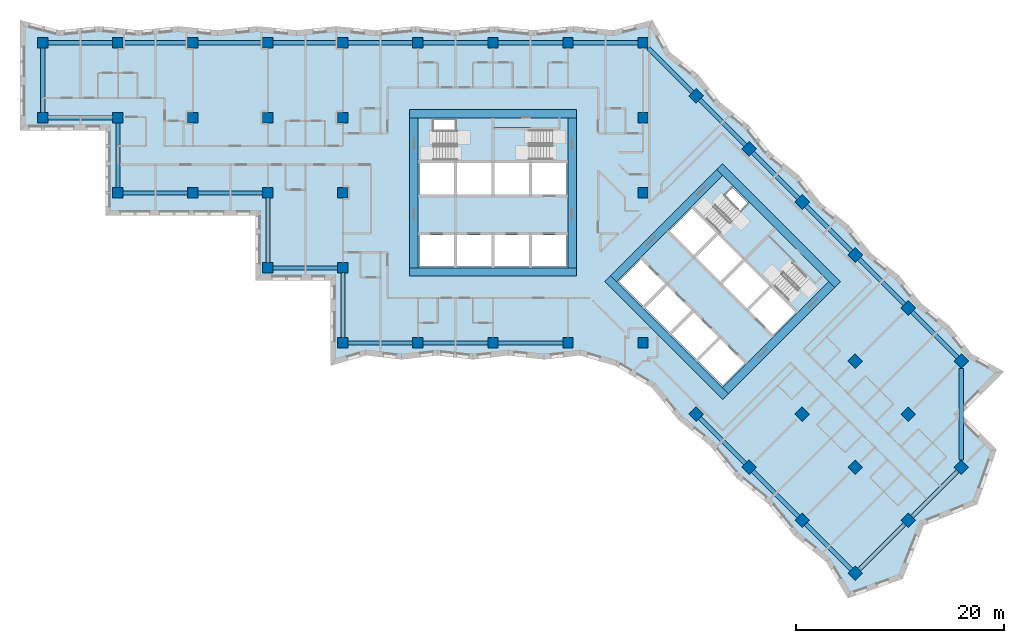
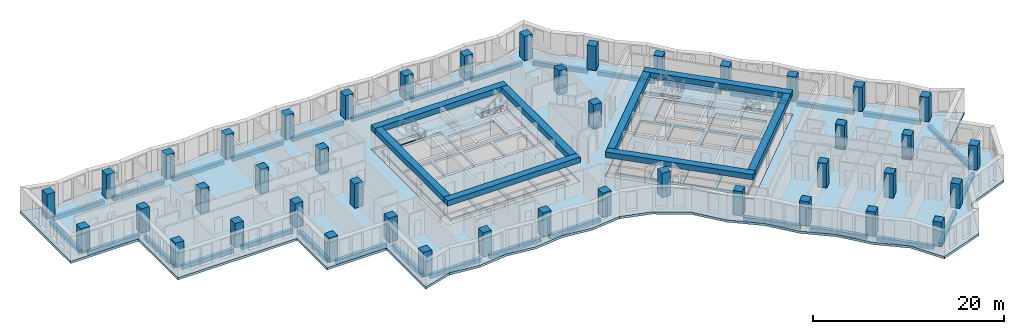
# One storey, part 1 of 13: 43 columns, 39 beams, 7 slabs, 22 openings, 4 elements without a shape of their own.
"""IFC4 building model written with IfcOpenShell, lengths in metres."""

from ifc_helpers import new_model, si_unit, direction, frame, origin, origin_2d, place, context, subcontext, project, spatial, polyline, rectangle, outline, extrude, material, layer, layer_set, material_profile, profile_set, type_object, element, aggregate, save


model = new_model("IFC4")

# Units and contexts
model_context = context("Model", 3, precision=1e-05, world=origin(), true_north=direction((0.0, 1.0)))
body_context = subcontext(model_context, "Body", "Model", "MODEL_VIEW")
ifc_project = project(units=[si_unit("LENGTHUNIT", "METRE"), si_unit("AREAUNIT", "SQUARE_METRE"), si_unit("VOLUMEUNIT", "CUBIC_METRE"), si_unit("PLANEANGLEUNIT", "RADIAN"), si_unit("MASSUNIT", "GRAM", prefix="KILO")], contexts=[model_context])

# Site, building, storey
site_placement = place(None, origin())
site = spatial("IfcSite", under=ifc_project, at=site_placement, CompositionType="ELEMENT")
building_placement = place(site_placement, origin())
building = spatial("IfcBuilding", under=site, at=building_placement, Name="Windrow Commons", CompositionType="ELEMENT")
storey_placement = place(building_placement, frame((0.0, 0.0, 91.4)))
storey = spatial("IfcBuildingStorey", under=building, at=storey_placement, Name="L24", CompositionType="ELEMENT", Elevation=91.4)

# Columns
ifc_material_1 = material(Name="Concrete C60/75", Category="concrete")
ifc_material_profile_1 = material_profile(ifc_material_1, rectangle(XDim=1.0, YDim=1.0, at=origin_2d()))
ifc_profile_set_1 = profile_set([ifc_material_profile_1], Name="Concrete C60/75")
column_type = type_object("IfcColumnType", Name="RC COLUMN 1000x1000 C60/75", PredefinedType="COLUMN", material=ifc_profile_set_1)
for number, where, z_axis, x_axis, name in (
    (1, (21.6, 64.8, 0.0), (0.0, 0.0, 1.0), (1.0, 0.0, 0.0), "C-Z2-04I"),
    (2, (21.6, 72.0, 0.0), (0.0, 0.0, 1.0), (1.0, 0.0, 0.0), "C-Z2-04J"),
    (3, (28.8, 57.6, 0.0), (0.0, 0.0, 1.0), (1.0, 0.0, 0.0), "C-Z2-05H"),
    (4, (28.8, 64.8, 0.0), (0.0, 0.0, 1.0), (1.0, 0.0, 0.0), "C-Z2-05I"),
    (5, (28.8, 72.0, 0.0), (0.0, 0.0, 1.0), (1.0, 0.0, 0.0), "C-Z2-05J"),
    (6, (36.0, 57.6, 0.0), (0.0, 0.0, 1.0), (1.0, 0.0, 0.0), "C-Z2-06H"),
    (7, (36.0, 64.8, 0.0), (0.0, 0.0, 1.0), (1.0, 0.0, 0.0), "C-Z2-06I"),
    (8, (36.0, 72.0, 0.0), (0.0, 0.0, 1.0), (1.0, 0.0, 0.0), "C-Z2-06J"),
    (9, (43.2, 50.4, 0.0), (0.0, 0.0, 1.0), (1.0, 0.0, 0.0), "C-Z2-07G"),
    (10, (43.2, 57.6, 0.0), (0.0, 0.0, 1.0), (1.0, 0.0, 0.0), "C-Z2-07H"),
    (11, (43.2, 64.8, 0.0), (0.0, 0.0, 1.0), (1.0, 0.0, 0.0), "C-Z2-07I"),
    (12, (43.2, 72.0, 0.0), (0.0, 0.0, 1.0), (1.0, 0.0, 0.0), "C-Z2-07J"),
    (13, (50.4, 43.2, 0.0), (0.0, 0.0, 1.0), (1.0, 0.0, 0.0), "C-Z2-08F"),
    (14, (50.4, 50.4, 0.0), (0.0, 0.0, 1.0), (1.0, 0.0, 0.0), "C-Z2-08G"),
    (15, (50.4, 57.6, 0.0), (0.0, 0.0, 1.0), (1.0, 0.0, 0.0), "C-Z2-08H"),
    (16, (50.4, 64.8, 0.0), (0.0, 0.0, 1.0), (1.0, 0.0, 0.0), "C-Z2-08I"),
    (17, (50.4, 72.0, 0.0), (0.0, 0.0, 1.0), (1.0, 0.0, 0.0), "C-Z2-08J"),
    (18, (57.6, 43.2, 0.0), (0.0, 0.0, 1.0), (1.0, 0.0, 0.0), "C-Z2-09F"),
    (19, (57.6, 72.0, 0.0), (0.0, 0.0, 1.0), (1.0, 0.0, 0.0), "C-Z2-09J"),
    (20, (64.8, 43.2, 0.0), (0.0, 0.0, 1.0), (1.0, 0.0, 0.0), "C-Z2-10F"),
    (21, (64.8, 72.0, 0.0), (0.0, 0.0, 1.0), (1.0, 0.0, 0.0), "C-Z2-10J"),
    (22, (72.0, 43.2, 0.0), (0.0, 0.0, 1.0), (1.0, 0.0, 0.0), "C-Z2-11F"),
    (23, (72.0, 72.0, 0.0), (0.0, 0.0, 1.0), (1.0, 0.0, 0.0), "C-Z2-11J"),
    (24, (79.2, 43.2, 0.0), (0.0, 0.0, 1.0), (1.0, 0.0, 0.0), "C-Z2-12F"),
    (25, (79.2, 57.6, 0.0), (0.0, 0.0, 1.0), (1.0, 0.0, 0.0), "C-Z2-12H"),
    (26, (79.2, 64.8, 0.0), (0.0, 0.0, 1.0), (1.0, 0.0, 0.0), "C-Z2-12I"),
    (27, (79.2, 72.0, 0.0), (0.0, 0.0, 1.0), (1.0, 0.0, 0.0), "C-Z2-12J"),
    (28, (84.2912, 66.9088, 0.0), (0.0, 0.0, 1.0), (0.7071067812, -0.7071067812, 0.0), "C-Z2-P2Q"),
    (29, (89.3823, 61.8177, 0.0), (0.0, 0.0, 1.0), (0.7071067812, -0.7071067812, 0.0), "C-Z2-P3Q"),
    (30, (94.4735, 56.7265, 0.0), (0.0, 0.0, 1.0), (0.7071067812, -0.7071067812, 0.0), "C-Z2-P4Q"),
    (31, (99.5647, 51.6353, 0.0), (0.0, 0.0, 1.0), (0.7071067812, -0.7071067812, 0.0), "C-Z2-P5Q"),
    (32, (84.2912, 36.3618, 0.0), (0.0, 0.0, 1.0), (0.7071067812, -0.7071067812, 0.0), "C-Z2-P5T"),
    (33, (104.6558, 46.5442, 0.0), (0.0, 0.0, 1.0), (0.7071067812, -0.7071067812, 0.0), "C-Z2-P6Q"),
    (34, (99.5647, 41.453, 0.0), (0.0, 0.0, 1.0), (0.7071067812, -0.7071067812, 0.0), "C-Z2-P6R"),
    (35, (94.4735, 36.3618, 0.0), (0.0, 0.0, 1.0), (0.7071067812, -0.7071067812, 0.0), "C-Z2-P6S"),
    (36, (89.3823, 31.2706, 0.0), (0.0, 0.0, 1.0), (0.7071067812, -0.7071067812, 0.0), "C-Z2-P6T"),
    (37, (109.747, 41.453, 0.0), (0.0, 0.0, 1.0), (0.7071067812, -0.7071067812, 0.0), "C-Z2-P7Q"),
    (38, (104.6558, 36.3618, 0.0), (0.0, 0.0, 1.0), (0.7071067812, -0.7071067812, 0.0), "C-Z2-P7R"),
    (39, (99.5647, 31.2706, 0.0), (0.0, 0.0, 1.0), (0.7071067812, -0.7071067812, 0.0), "C-Z2-P7S"),
    (40, (94.4735, 26.1795, 0.0), (0.0, 0.0, 1.0), (0.7071067812, -0.7071067812, 0.0), "C-Z2-P7T"),
    (41, (109.747, 31.2706, 0.0), (0.0, 0.0, 1.0), (0.7071067812, -0.7071067812, 0.0), "C-Z2-P8R"),
    (42, (104.6558, 26.1795, 0.0), (0.0, 0.0, 1.0), (0.7071067812, -0.7071067812, 0.0), "C-Z2-P8S"),
    (43, (99.5647, 21.0883, 0.0), (0.0, 0.0, 1.0), (0.7071067812, -0.7071067812, 0.0), "C-Z2-P8T"),
):
    element("IfcColumn", number, at=place(storey_placement, frame(where, z_axis=z_axis, x_axis=x_axis)), inside=storey, type_object=column_type, Name=name, PredefinedType="COLUMN", context=body_context, shape_type="SweptSolid", body=[
        extrude(rectangle(XDim=1.0, YDim=1.0, at=origin_2d()), origin(), (0.0, 0.0, 1.0), 3.1),
    ])

# Beams
ifc_material_2 = material(Name="Concrete C50/60", Category="concrete")
ifc_material_profile_2 = material_profile(ifc_material_2, rectangle(XDim=0.8, YDim=0.7, at=origin_2d()))
ifc_profile_set_2 = profile_set([ifc_material_profile_2], Name="Concrete C50/60")
beam_type_1 = type_object("IfcBeamType", Name="RC COUPLING BEAM 800x700 C50/60", PredefinedType="LINTEL", material=ifc_profile_set_2)
for number, where, z_axis, x_axis, name in (
    (44, (56.8, 50.0, 2.75), (1.0, 0.0, 0.0), (0.0, 1.0, 0.0), "Core A coupling beam outer-S"),
    (45, (56.8, 65.2, 2.75), (1.0, 0.0, 0.0), (0.0, 1.0, 0.0), "Core A coupling beam outer-N"),
):
    element("IfcBeam", number, at=place(storey_placement, frame(where, z_axis=z_axis, x_axis=x_axis)), inside=storey, type_object=beam_type_1, Name=name, PredefinedType="LINTEL", context=body_context, shape_type="SweptSolid", body=[
        extrude(rectangle(XDim=0.8, YDim=0.7, at=origin_2d()), origin(), (0.0, 0.0, 1.0), 16.0),
    ])
for number, where, z_axis, x_axis, name in (
    (46, (57.2, 50.4, 2.75), (0.0, 1.0, 0.0), (-1.0, 0.0, 0.0), "Core A coupling beam outer-W"),
    (47, (72.4, 50.4, 2.75), (0.0, 1.0, 0.0), (-1.0, 0.0, 0.0), "Core A coupling beam outer-E"),
):
    element("IfcBeam", number, at=place(storey_placement, frame(where, z_axis=z_axis, x_axis=x_axis)), inside=storey, type_object=beam_type_1, Name=name, PredefinedType="LINTEL", context=body_context, shape_type="SweptSolid", body=[
        extrude(rectangle(XDim=0.8, YDim=0.7, at=origin_2d()), origin(), (0.0, 0.0, 1.0), 14.4),
    ])
for number, where, z_axis, x_axis, name in (
    (48, (75.8059, 49.3726, 2.75), (0.7071067812, -0.7071067812, 0.0), (0.7071067812, 0.7071067812, 0.0), "Core B coupling beam outer-S"),
    (49, (86.5539, 60.1206, 2.75), (0.7071067812, -0.7071067812, 0.0), (0.7071067812, 0.7071067812, 0.0), "Core B coupling beam outer-N"),
):
    element("IfcBeam", number, at=place(storey_placement, frame(where, z_axis=z_axis, x_axis=x_axis)), inside=storey, type_object=beam_type_1, Name=name, PredefinedType="LINTEL", context=body_context, shape_type="SweptSolid", body=[
        extrude(rectangle(XDim=0.8, YDim=0.7, at=origin_2d()), origin(), (0.0, 0.0, 1.0), 16.0),
    ])
for number, where, z_axis, x_axis, name in (
    (50, (76.3716, 49.3726, 2.75), (0.7071067812, 0.7071067812, 0.0), (-0.7071067812, 0.7071067812, 0.0), "Core B coupling beam outer-W"),
    (51, (87.1196, 38.6246, 2.75), (0.7071067812, 0.7071067812, 0.0), (-0.7071067812, 0.7071067812, 0.0), "Core B coupling beam outer-E"),
):
    element("IfcBeam", number, at=place(storey_placement, frame(where, z_axis=z_axis, x_axis=x_axis)), inside=storey, type_object=beam_type_1, Name=name, PredefinedType="LINTEL", context=body_context, shape_type="SweptSolid", body=[
        extrude(rectangle(XDim=0.8, YDim=0.7, at=origin_2d()), origin(), (0.0, 0.0, 1.0), 14.3999),
    ])
ifc_material_3 = material(Name="Concrete C50/60", Category="concrete")
ifc_material_profile_3 = material_profile(ifc_material_3, rectangle(XDim=0.4, YDim=0.5, at=origin_2d()))
ifc_profile_set_3 = profile_set([ifc_material_profile_3], Name="Concrete C50/60")
beam_type_2 = type_object("IfcBeamType", Name="RC EDGE BEAM 400x500 C50/60", PredefinedType="SPANDREL", material=ifc_profile_set_3)
for number, where, z_axis, x_axis, name in (
    (52, (35.5, 57.6, -0.55), (-1.0, 0.0, 0.0), (0.0, -1.0, 0.0), "Edge beam L24 001"),
    (53, (28.8, 58.1, -0.55), (0.0, 1.0, 0.0), (-1.0, 0.0, 0.0), "Edge beam L24 002"),
    (54, (28.3, 64.8, -0.55), (-1.0, 0.0, 0.0), (0.0, -1.0, 0.0), "Edge beam L24 003"),
    (55, (21.6, 65.3, -0.55), (0.0, 1.0, 0.0), (-1.0, 0.0, 0.0), "Edge beam L24 004"),
    (56, (22.1, 72.0, -0.55), (1.0, 0.0, 0.0), (0.0, 1.0, 0.0), "Edge beam L24 005"),
    (57, (29.3, 72.0, -0.55), (1.0, 0.0, 0.0), (0.0, 1.0, 0.0), "Edge beam L24 006"),
    (58, (36.5, 72.0, -0.55), (1.0, 0.0, 0.0), (0.0, 1.0, 0.0), "Edge beam L24 007"),
    (59, (43.7, 72.0, -0.55), (1.0, 0.0, 0.0), (0.0, 1.0, 0.0), "Edge beam L24 008"),
    (60, (50.9, 72.0, -0.55), (1.0, 0.0, 0.0), (0.0, 1.0, 0.0), "Edge beam L24 009"),
    (61, (58.1, 72.0, -0.55), (1.0, 0.0, 0.0), (0.0, 1.0, 0.0), "Edge beam L24 010"),
    (62, (65.3, 72.0, -0.55), (1.0, 0.0, 0.0), (0.0, 1.0, 0.0), "Edge beam L24 011"),
    (63, (72.5, 72.0, -0.55), (1.0, 0.0, 0.0), (0.0, 1.0, 0.0), "Edge beam L24 012"),
):
    element("IfcBeam", number, at=place(storey_placement, frame(where, z_axis=z_axis, x_axis=x_axis)), inside=storey, type_object=beam_type_2, Name=name, PredefinedType="SPANDREL", context=body_context, shape_type="SweptSolid", body=[
        extrude(rectangle(XDim=0.4, YDim=0.5, at=origin_2d()), origin(), (0.0, 0.0, 1.0), 6.2),
    ])
beam_1_placement = place(storey_placement, frame((79.7, 71.5, -0.55), z_axis=(0.7071067812, -0.7071067812, 0.0), x_axis=(0.7071067812, 0.7071067812, 0.0)))
element("IfcBeam", 64, at=beam_1_placement, inside=storey, type_object=beam_type_2, Name="Edge beam L24 013", PredefinedType="SPANDREL", context=body_context, shape_type="SweptSolid", body=[
    extrude(rectangle(XDim=0.4, YDim=0.5, at=origin_2d()), origin(), (0.0, 0.0, 1.0), 5.9929),
])
beam_2_placement = place(storey_placement, frame((84.6448, 66.5552, -0.55), z_axis=(0.7071067812, -0.7071067812, 0.0), x_axis=(0.7071067812, 0.7071067812, 0.0)))
element("IfcBeam", 65, at=beam_2_placement, inside=storey, type_object=beam_type_2, Name="Edge beam L24 014", PredefinedType="SPANDREL", context=body_context, shape_type="SweptSolid", body=[
    extrude(rectangle(XDim=0.4, YDim=0.5, at=origin_2d()), origin(), (0.0, 0.0, 1.0), 6.1998),
])
for number, where, z_axis, x_axis, name in (
    (66, (89.7359, 61.4641, -0.55), (0.7071067812, -0.7071067812, 0.0), (0.7071067812, 0.7071067812, 0.0), "Edge beam L24 015"),
    (67, (94.8271, 56.3729, -0.55), (0.7071067812, -0.7071067812, 0.0), (0.7071067812, 0.7071067812, 0.0), "Edge beam L24 016"),
):
    element("IfcBeam", number, at=place(storey_placement, frame(where, z_axis=z_axis, x_axis=x_axis)), inside=storey, type_object=beam_type_2, Name=name, PredefinedType="SPANDREL", context=body_context, shape_type="SweptSolid", body=[
        extrude(rectangle(XDim=0.4, YDim=0.5, at=origin_2d()), origin(), (0.0, 0.0, 1.0), 6.1999),
    ])
beam_3_placement = place(storey_placement, frame((99.9183, 51.2817, -0.55), z_axis=(0.7071067812, -0.7071067812, 0.0), x_axis=(0.7071067812, 0.7071067812, 0.0)))
element("IfcBeam", 68, at=beam_3_placement, inside=storey, type_object=beam_type_2, Name="Edge beam L24 017", PredefinedType="SPANDREL", context=body_context, shape_type="SweptSolid", body=[
    extrude(rectangle(XDim=0.4, YDim=0.5, at=origin_2d()), origin(), (0.0, 0.0, 1.0), 6.1998),
])
beam_4_placement = place(storey_placement, frame((105.0094, 46.1906, -0.55), z_axis=(0.7071067812, -0.7071067812, 0.0), x_axis=(0.7071067812, 0.7071067812, 0.0)))
element("IfcBeam", 69, at=beam_4_placement, inside=storey, type_object=beam_type_2, Name="Edge beam L24 018", PredefinedType="SPANDREL", context=body_context, shape_type="SweptSolid", body=[
    extrude(rectangle(XDim=0.4, YDim=0.5, at=origin_2d()), origin(), (0.0, 0.0, 1.0), 6.1999),
])
beam_5_placement = place(storey_placement, frame((109.747, 40.7459, -0.55), z_axis=(0.0, -1.0, 0.0), x_axis=(1.0, 0.0, 0.0)))
element("IfcBeam", 70, at=beam_5_placement, inside=storey, type_object=beam_type_2, Name="Edge beam L24 019", PredefinedType="SPANDREL", context=body_context, shape_type="SweptSolid", body=[
    extrude(rectangle(XDim=0.4, YDim=0.5, at=origin_2d()), origin(), (0.0, 0.0, 1.0), 8.7682),
])
for number, where, z_axis, x_axis, name in (
    (71, (109.3934, 30.917, -0.55), (-0.7071148459, -0.7070987164, 0.0), (0.7070987164, -0.7071148459, 0.0), "Edge beam L24 020"),
    (72, (104.3022, 25.8259, -0.55), (-0.7070987164, -0.7071148459, 0.0), (0.7071148459, -0.7070987164, 0.0), "Edge beam L24 021"),
):
    element("IfcBeam", number, at=place(storey_placement, frame(where, z_axis=z_axis, x_axis=x_axis)), inside=storey, type_object=beam_type_2, Name=name, PredefinedType="SPANDREL", context=body_context, shape_type="SweptSolid", body=[
        extrude(rectangle(XDim=0.4, YDim=0.5, at=origin_2d()), origin(), (0.0, 0.0, 1.0), 6.1998),
    ])
beam_6_placement = place(storey_placement, frame((99.2111, 21.4419, -0.55), z_axis=(-0.7071067812, 0.7071067812, 0.0), x_axis=(-0.7071067812, -0.7071067812, 0.0)))
element("IfcBeam", 73, at=beam_6_placement, inside=storey, type_object=beam_type_2, Name="Edge beam L24 022", PredefinedType="SPANDREL", context=body_context, shape_type="SweptSolid", body=[
    extrude(rectangle(XDim=0.4, YDim=0.5, at=origin_2d()), origin(), (0.0, 0.0, 1.0), 6.1999),
])
for number, where, z_axis, x_axis, name in (
    (74, (94.1199, 26.5331, -0.55), (-0.7071148459, 0.7070987164, 0.0), (-0.7070987164, -0.7071148459, 0.0), "Edge beam L24 023"),
    (75, (89.0287, 31.6242, -0.55), (-0.7070987164, 0.7071148459, 0.0), (-0.7071148459, -0.7070987164, 0.0), "Edge beam L24 024"),
):
    element("IfcBeam", number, at=place(storey_placement, frame(where, z_axis=z_axis, x_axis=x_axis)), inside=storey, type_object=beam_type_2, Name=name, PredefinedType="SPANDREL", context=body_context, shape_type="SweptSolid", body=[
        extrude(rectangle(XDim=0.4, YDim=0.5, at=origin_2d()), origin(), (0.0, 0.0, 1.0), 6.1998),
    ])
for number, where, z_axis, x_axis, name in (
    (76, (71.5, 43.2, -0.55), (-1.0, 0.0, 0.0), (0.0, -1.0, 0.0), "Edge beam L24 025"),
    (77, (64.3, 43.2, -0.55), (-1.0, 0.0, 0.0), (0.0, -1.0, 0.0), "Edge beam L24 026"),
    (78, (57.1, 43.2, -0.55), (-1.0, 0.0, 0.0), (0.0, -1.0, 0.0), "Edge beam L24 027"),
    (79, (50.4, 43.7, -0.55), (0.0, 1.0, 0.0), (-1.0, 0.0, 0.0), "Edge beam L24 028"),
    (80, (49.9, 50.4, -0.55), (-1.0, 0.0, 0.0), (0.0, -1.0, 0.0), "Edge beam L24 029"),
    (81, (43.2, 50.9, -0.55), (0.0, 1.0, 0.0), (-1.0, 0.0, 0.0), "Edge beam L24 030"),
    (82, (42.7, 57.6, -0.55), (-1.0, 0.0, 0.0), (0.0, -1.0, 0.0), "Edge beam L24 031"),
):
    element("IfcBeam", number, at=place(storey_placement, frame(where, z_axis=z_axis, x_axis=x_axis)), inside=storey, type_object=beam_type_2, Name=name, PredefinedType="SPANDREL", context=body_context, shape_type="SweptSolid", body=[
        extrude(rectangle(XDim=0.4, YDim=0.5, at=origin_2d()), origin(), (0.0, 0.0, 1.0), 6.2),
    ])

# Slab, openings
ifc_material_4 = material(Name="Concrete C50/60", Category="concrete")
ifc_layer_1 = layer(ifc_material_4, 0.3)
ifc_layer_set_1 = layer_set([ifc_layer_1], Name="CORE FLOOR SLAB 300 C50/60")
slab_type_1 = type_object("IfcSlabType", Name="CORE FLOOR SLAB 300 C50/60", PredefinedType="FLOOR", material=ifc_layer_set_1)
placement_1 = place(storey_placement, frame((0.0, 0.0, -0.3)))
slab_1 = element("IfcSlab", 83, at=placement_1, inside=storey, type_object=slab_type_1, Name="S-L24-core-A", PredefinedType="FLOOR", context=body_context, shape_type="SweptSolid", body=[
    extrude(outline(polyline([(57.6, 50.4), (72.0, 50.4), (72.0, 64.8), (57.6, 64.8), (57.6, 50.4)]), holes=[polyline([(57.75, 50.55), (61.05, 50.55), (61.05, 53.55), (57.75, 53.55), (57.75, 50.55)]), polyline([(61.35, 50.55), (64.65, 50.55), (64.65, 53.55), (61.35, 53.55), (61.35, 50.55)]), polyline([(64.95, 50.55), (68.25, 50.55), (68.25, 53.55), (64.95, 53.55), (64.95, 50.55)]), polyline([(68.55, 50.55), (71.85, 50.55), (71.85, 53.55), (68.55, 53.55), (68.55, 50.55)]), polyline([(57.75, 57.45), (61.05, 57.45), (61.05, 60.45), (57.75, 60.45), (57.75, 57.45)]), polyline([(61.35, 57.45), (64.65, 57.45), (64.65, 60.45), (61.35, 60.45), (61.35, 57.45)]), polyline([(64.95, 57.45), (68.25, 57.45), (68.25, 60.45), (64.95, 60.45), (64.95, 57.45)]), polyline([(68.55, 57.45), (71.85, 57.45), (71.85, 60.45), (68.55, 60.45), (68.55, 57.45)]), polyline([(59.1, 60.75), (64.65, 60.75), (64.65, 64.65), (59.1, 64.65), (59.1, 60.75)]), polyline([(64.95, 60.75), (70.5, 60.75), (70.5, 63.705), (64.95, 63.705), (64.95, 60.75)])]), origin(), (0.0, 0.0, 1.0), 0.3),
])
opening_1_placement = place(placement_1, origin())
element("IfcOpeningElement", 84, at=opening_1_placement, cuts=slab_1, Name="Slab opening S-L24-core-A 1", PredefinedType="OPENING", context=body_context, shape_type="SweptSolid", body=[
    extrude(outline(polyline([(57.755, 50.555), (57.755, 53.545), (61.045, 53.545), (61.045, 50.555), (57.755, 50.555)])), origin(), (0.0, 0.0, 1.0), 0.3),
])
opening_2_placement = place(placement_1, origin())
element("IfcOpeningElement", 85, at=opening_2_placement, cuts=slab_1, Name="Slab opening S-L24-core-A 2", PredefinedType="OPENING", context=body_context, shape_type="SweptSolid", body=[
    extrude(outline(polyline([(61.355, 50.555), (61.355, 53.545), (64.645, 53.545), (64.645, 50.555), (61.355, 50.555)])), origin(), (0.0, 0.0, 1.0), 0.3),
])
opening_3_placement = place(placement_1, origin())
element("IfcOpeningElement", 86, at=opening_3_placement, cuts=slab_1, Name="Slab opening S-L24-core-A 3", PredefinedType="OPENING", context=body_context, shape_type="SweptSolid", body=[
    extrude(outline(polyline([(64.955, 50.555), (64.955, 53.545), (68.245, 53.545), (68.245, 50.555), (64.955, 50.555)])), origin(), (0.0, 0.0, 1.0), 0.3),
])
opening_4_placement = place(placement_1, origin())
element("IfcOpeningElement", 87, at=opening_4_placement, cuts=slab_1, Name="Slab opening S-L24-core-A 4", PredefinedType="OPENING", context=body_context, shape_type="SweptSolid", body=[
    extrude(outline(polyline([(68.555, 50.555), (68.555, 53.545), (71.845, 53.545), (71.845, 50.555), (68.555, 50.555)])), origin(), (0.0, 0.0, 1.0), 0.3),
])
opening_5_placement = place(placement_1, origin())
element("IfcOpeningElement", 88, at=opening_5_placement, cuts=slab_1, Name="Slab opening S-L24-core-A 5", PredefinedType="OPENING", context=body_context, shape_type="SweptSolid", body=[
    extrude(outline(polyline([(57.755, 57.455), (57.755, 60.445), (61.045, 60.445), (61.045, 57.455), (57.755, 57.455)])), origin(), (0.0, 0.0, 1.0), 0.3),
])
opening_6_placement = place(placement_1, origin())
element("IfcOpeningElement", 89, at=opening_6_placement, cuts=slab_1, Name="Slab opening S-L24-core-A 6", PredefinedType="OPENING", context=body_context, shape_type="SweptSolid", body=[
    extrude(outline(polyline([(61.355, 57.455), (61.355, 60.445), (64.645, 60.445), (64.645, 57.455), (61.355, 57.455)])), origin(), (0.0, 0.0, 1.0), 0.3),
])
opening_7_placement = place(placement_1, origin())
element("IfcOpeningElement", 90, at=opening_7_placement, cuts=slab_1, Name="Slab opening S-L24-core-A 7", PredefinedType="OPENING", context=body_context, shape_type="SweptSolid", body=[
    extrude(outline(polyline([(64.955, 57.455), (64.955, 60.445), (68.245, 60.445), (68.245, 57.455), (64.955, 57.455)])), origin(), (0.0, 0.0, 1.0), 0.3),
])
opening_8_placement = place(placement_1, origin())
element("IfcOpeningElement", 91, at=opening_8_placement, cuts=slab_1, Name="Slab opening S-L24-core-A 8", PredefinedType="OPENING", context=body_context, shape_type="SweptSolid", body=[
    extrude(outline(polyline([(68.555, 57.455), (68.555, 60.445), (71.845, 60.445), (71.845, 57.455), (68.555, 57.455)])), origin(), (0.0, 0.0, 1.0), 0.3),
])
opening_9_placement = place(placement_1, origin())
element("IfcOpeningElement", 92, at=opening_9_placement, cuts=slab_1, Name="Slab opening S-L24-core-A 9", PredefinedType="OPENING", context=body_context, shape_type="SweptSolid", body=[
    extrude(outline(polyline([(59.105, 60.755), (59.105, 64.645), (64.645, 64.645), (64.645, 60.755), (59.105, 60.755)])), origin(), (0.0, 0.0, 1.0), 0.3),
])
opening_10_placement = place(placement_1, origin())
element("IfcOpeningElement", 93, at=opening_10_placement, cuts=slab_1, Name="Slab opening S-L24-core-A 10", PredefinedType="OPENING", context=body_context, shape_type="SweptSolid", body=[
    extrude(outline(polyline([(64.955, 60.755), (64.955, 63.7), (70.495, 63.7), (70.495, 60.755), (64.955, 60.755)])), origin(), (0.0, 0.0, 1.0), 0.3),
])

slab_2 = element("IfcSlab", 94, at=placement_1, inside=storey, type_object=slab_type_1, Name="S-L24-core-B", PredefinedType="FLOOR", context=body_context, shape_type="SweptSolid", body=[
    extrude(outline(polyline([(76.6544, 49.0897), (86.8368, 38.9074), (97.0191, 49.0897), (86.8368, 59.2721), (76.6544, 49.0897)]), holes=[polyline([(76.8665, 49.0897), (79.2, 46.7563), (81.3213, 48.8776), (78.9879, 51.2111), (76.8665, 49.0897)]), polyline([(79.4121, 46.5442), (81.7456, 44.2107), (83.8669, 46.332), (81.5335, 48.6655), (79.4121, 46.5442)]), polyline([(81.9577, 43.9986), (84.2912, 41.6651), (86.4125, 43.7864), (84.079, 46.1199), (81.9577, 43.9986)]), polyline([(84.5033, 41.453), (86.8368, 39.1195), (88.9581, 41.2409), (86.6246, 43.5743), (84.5033, 41.453)]), polyline([(81.7456, 53.9688), (84.079, 51.6353), (86.2004, 53.7566), (83.8669, 56.0901), (81.7456, 53.9688)]), polyline([(84.2912, 51.4232), (86.6246, 49.0897), (88.7459, 51.2111), (86.4125, 53.5445), (84.2912, 51.4232)]), polyline([(86.8368, 48.8776), (89.1702, 46.5442), (91.2915, 48.6655), (88.9581, 50.9989), (86.8368, 48.8776)]), polyline([(89.3823, 46.332), (91.7158, 43.9986), (93.8371, 46.1199), (91.5037, 48.4533), (89.3823, 46.332)]), polyline([(85.0336, 55.3476), (88.9581, 51.4232), (91.7158, 54.1809), (87.7913, 58.1054), (85.0336, 55.3476)]), polyline([(89.1702, 51.2111), (93.0946, 47.2866), (95.1841, 49.3761), (91.2597, 53.3006), (89.1702, 51.2111)])]), origin(), (0.0, 0.0, 1.0), 0.3),
])
opening_11_placement = place(placement_1, origin())
element("IfcOpeningElement", 95, at=opening_11_placement, cuts=slab_2, Name="Slab opening S-L24-core-B 1", PredefinedType="OPENING", context=body_context, shape_type="SweptSolid", body=[
    extrude(outline(polyline([(76.8736, 49.0897), (78.9879, 51.204), (81.3142, 48.8776), (79.2, 46.7634), (76.8736, 49.0897)])), origin(), (0.0, 0.0, 1.0), 0.3),
])
opening_12_placement = place(placement_1, origin())
element("IfcOpeningElement", 96, at=opening_12_placement, cuts=slab_2, Name="Slab opening S-L24-core-B 2", PredefinedType="OPENING", context=body_context, shape_type="SweptSolid", body=[
    extrude(outline(polyline([(79.4192, 46.5442), (81.5335, 48.6584), (83.8598, 46.332), (81.7456, 44.2178), (79.4192, 46.5442)])), origin(), (0.0, 0.0, 1.0), 0.3),
])
opening_13_placement = place(placement_1, origin())
element("IfcOpeningElement", 97, at=opening_13_placement, cuts=slab_2, Name="Slab opening S-L24-core-B 3", PredefinedType="OPENING", context=body_context, shape_type="SweptSolid", body=[
    extrude(outline(polyline([(81.9648, 43.9986), (84.079, 46.1128), (86.4054, 43.7864), (84.2912, 41.6722), (81.9648, 43.9986)])), origin(), (0.0, 0.0, 1.0), 0.3),
])
opening_14_placement = place(placement_1, origin())
element("IfcOpeningElement", 98, at=opening_14_placement, cuts=slab_2, Name="Slab opening S-L24-core-B 4", PredefinedType="OPENING", context=body_context, shape_type="SweptSolid", body=[
    extrude(outline(polyline([(84.5104, 41.453), (86.6246, 43.5672), (88.951, 41.2409), (86.8368, 39.1266), (84.5104, 41.453)])), origin(), (0.0, 0.0, 1.0), 0.3),
])
opening_15_placement = place(placement_1, origin())
element("IfcOpeningElement", 99, at=opening_15_placement, cuts=slab_2, Name="Slab opening S-L24-core-B 5", PredefinedType="OPENING", context=body_context, shape_type="SweptSolid", body=[
    extrude(outline(polyline([(81.7527, 53.9688), (83.8669, 56.083), (86.1933, 53.7566), (84.079, 51.6424), (81.7527, 53.9688)])), origin(), (0.0, 0.0, 1.0), 0.3),
])
opening_16_placement = place(placement_1, origin())
element("IfcOpeningElement", 100, at=opening_16_placement, cuts=slab_2, Name="Slab opening S-L24-core-B 6", PredefinedType="OPENING", context=body_context, shape_type="SweptSolid", body=[
    extrude(outline(polyline([(84.2983, 51.4232), (86.4125, 53.5374), (88.7388, 51.2111), (86.6246, 49.0968), (84.2983, 51.4232)])), origin(), (0.0, 0.0, 1.0), 0.3),
])
opening_17_placement = place(placement_1, origin())
element("IfcOpeningElement", 101, at=opening_17_placement, cuts=slab_2, Name="Slab opening S-L24-core-B 7", PredefinedType="OPENING", context=body_context, shape_type="SweptSolid", body=[
    extrude(outline(polyline([(86.8439, 48.8776), (88.9581, 50.9918), (91.2844, 48.6655), (89.1702, 46.5513), (86.8439, 48.8776)])), origin(), (0.0, 0.0, 1.0), 0.3),
])
opening_18_placement = place(placement_1, origin())
element("IfcOpeningElement", 102, at=opening_18_placement, cuts=slab_2, Name="Slab opening S-L24-core-B 8", PredefinedType="OPENING", context=body_context, shape_type="SweptSolid", body=[
    extrude(outline(polyline([(89.3894, 46.332), (91.5037, 48.4462), (93.83, 46.1199), (91.7158, 44.0057), (89.3894, 46.332)])), origin(), (0.0, 0.0, 1.0), 0.3),
])
opening_19_placement = place(placement_1, origin())
element("IfcOpeningElement", 103, at=opening_19_placement, cuts=slab_2, Name="Slab opening S-L24-core-B 9", PredefinedType="OPENING", context=body_context, shape_type="SweptSolid", body=[
    extrude(outline(polyline([(85.0407, 55.3476), (87.7913, 58.0983), (91.7087, 54.1809), (88.9581, 51.4303), (85.0407, 55.3476)])), origin(), (0.0, 0.0, 1.0), 0.3),
])
opening_20_placement = place(placement_1, origin())
element("IfcOpeningElement", 104, at=opening_20_placement, cuts=slab_2, Name="Slab opening S-L24-core-B 10", PredefinedType="OPENING", context=body_context, shape_type="SweptSolid", body=[
    extrude(outline(polyline([(89.1773, 51.2111), (91.2597, 53.2935), (95.177, 49.3761), (93.0946, 47.2937), (89.1773, 51.2111)])), origin(), (0.0, 0.0, 1.0), 0.3),
])

# Stair, slab
ifc_material_5 = material(Name="Concrete C40/50", Category="concrete")
stair_type = type_object("IfcStairType", Name="Core stair", PredefinedType="HALF_TURN_STAIR", material=ifc_material_5)
placement_2 = place(storey_placement, origin())
stair_1 = element("IfcStair", 105, at=placement_2, inside=storey, type_object=stair_type, Name="L24 Exit stair A1 core A", PredefinedType="HALF_TURN_STAIR")
ifc_material_6 = material(Name="Concrete C40/50", Category="concrete")
ifc_layer_2 = layer(ifc_material_6, 0.2)
ifc_layer_set_2 = layer_set([ifc_layer_2], Name="Core stair landing")
slab_type_2 = type_object("IfcSlabType", Name="Core stair landing", PredefinedType="LANDING", material=ifc_layer_set_2)
placement_3 = place(storey_placement, frame((0.0, 0.0, 1.5)))
slab_3 = element("IfcSlab", 106, at=placement_3, type_object=slab_type_2, Name="ST-A1 landing 1", PredefinedType="LANDING", context=body_context, shape_type="SweptSolid", body=[
    extrude(outline(polyline([(61.22, 60.5), (64.8, 60.5), (64.8, 64.9), (61.22, 64.9), (61.22, 60.5)])), origin(), (0.0, 0.0, 1.0), 0.2),
])
aggregate(stair_1, [slab_3])

stair_2 = element("IfcStair", 107, at=placement_2, inside=storey, type_object=stair_type, Name="L24 Exit stair A2 core A", PredefinedType="HALF_TURN_STAIR")
slab_4 = element("IfcSlab", 108, at=placement_3, type_object=slab_type_2, Name="ST-A2 landing 1", PredefinedType="LANDING", context=body_context, shape_type="SweptSolid", body=[
    extrude(outline(polyline([(64.8, 60.5), (68.38, 60.5), (68.38, 63.855), (64.8, 63.855), (64.8, 60.5)])), origin(), (0.0, 0.0, 1.0), 0.2),
])
aggregate(stair_2, [slab_4])

stair_3 = element("IfcStair", 109, at=placement_2, inside=storey, type_object=stair_type, Name="L24 Exit stair B1 core B", PredefinedType="HALF_TURN_STAIR")
slab_5 = element("IfcSlab", 110, at=placement_3, type_object=slab_type_2, Name="ST-B1 landing 1", PredefinedType="LANDING", context=body_context, shape_type="SweptSolid", body=[
    extrude(outline(polyline([(86.3559, 53.6718), (88.8874, 51.1403), (91.9986, 54.2516), (89.4672, 56.7831), (86.3559, 53.6718)])), origin(), (0.0, 0.0, 1.0), 0.2),
])
aggregate(stair_3, [slab_5])

stair_4 = element("IfcStair", 111, at=placement_2, inside=storey, type_object=stair_type, Name="L24 Exit stair B2 core B", PredefinedType="HALF_TURN_STAIR")
slab_6 = element("IfcSlab", 112, at=placement_3, type_object=slab_type_2, Name="ST-B2 landing 1", PredefinedType="LANDING", context=body_context, shape_type="SweptSolid", body=[
    extrude(outline(polyline([(88.8874, 51.1403), (91.4188, 48.6089), (93.7911, 50.9812), (91.2597, 53.5127), (88.8874, 51.1403)])), origin(), (0.0, 0.0, 1.0), 0.2),
])
aggregate(stair_4, [slab_6])

# Slab, openings
ifc_material_7 = material(Name="Concrete C50/60", Category="concrete")
ifc_layer_3 = layer(ifc_material_7, 0.3)
ifc_layer_set_3 = layer_set([ifc_layer_3], Name="FLOOR SLAB 300 C50/60")
slab_type_3 = type_object("IfcSlabType", Name="FLOOR SLAB 300 C50/60", PredefinedType="FLOOR", material=ifc_layer_set_3)
slab_7 = element("IfcSlab", 113, at=placement_1, inside=storey, type_object=slab_type_3, Name="S-L24-floor", PredefinedType="FLOOR", context=body_context, shape_type="SweptSolid", body=[
    extrude(outline(polyline([(96.7749, 22.1811), (98.864, 18.6906), (104.1303, 20.5628), (106.1439, 25.6877), (111.2689, 27.7014), (113.1411, 32.9677), (109.747, 36.3618), (113.8418, 40.4566), (110.7315, 42.1655), (108.5984, 44.8516), (105.9123, 46.9847), (103.7792, 49.6708), (101.0932, 51.8039), (98.96, 54.49), (96.274, 56.6231), (94.1409, 59.3092), (91.4548, 61.4423), (89.3217, 64.1283), (86.6356, 66.2615), (84.5025, 68.9475), (81.8164, 71.0807), (80.1076, 74.191), (76.3139, 73.2), (72.5203, 73.591), (68.7266, 73.2), (64.9329, 73.591), (61.1393, 73.2), (57.3456, 73.591), (53.552, 73.2), (49.7583, 73.591), (45.9646, 73.2), (42.171, 73.591), (38.3773, 73.2), (34.5836, 73.591), (30.79, 73.2), (26.9963, 73.591), (23.2027, 73.2), (19.409, 74.191), (19.409, 63.6), (27.6, 63.6), (27.6, 55.409), (42.0, 55.409), (42.0, 49.2), (49.2, 49.2), (49.2, 41.009), (52.6182, 42.0), (56.0364, 41.609), (59.4545, 42.0), (62.8727, 41.609), (66.2909, 42.0), (69.7091, 41.609), (73.1272, 42.0), (76.5454, 41.009), (80.036, 38.9199), (82.5493, 35.8537), (85.6156, 33.3403), (88.1289, 30.274), (91.1952, 27.7607), (93.7086, 24.6944), (96.7749, 22.1811)]), holes=[polyline([(75.523, 49.0897), (86.8368, 60.4034), (98.1505, 49.0897), (86.8368, 37.776), (75.523, 49.0897)]), polyline([(56.8, 49.6), (56.8, 65.6), (72.8, 65.6), (72.8, 49.6), (56.8, 49.6)])]), origin(), (0.0, 0.0, 1.0), 0.3),
])
opening_21_placement = place(placement_1, origin())
element("IfcOpeningElement", 114, at=opening_21_placement, cuts=slab_7, Name="Slab opening S-L24-floor 1", PredefinedType="OPENING", context=body_context, shape_type="SweptSolid", body=[
    extrude(outline(polyline([(75.5301, 49.0897), (86.8368, 60.3963), (98.1434, 49.0897), (86.8368, 37.7831), (75.5301, 49.0897)])), origin(), (0.0, 0.0, 1.0), 0.3),
])
opening_22_placement = place(placement_1, origin())
element("IfcOpeningElement", 115, at=opening_22_placement, cuts=slab_7, Name="Slab opening S-L24-floor 2", PredefinedType="OPENING", context=body_context, shape_type="SweptSolid", body=[
    extrude(outline(polyline([(56.805, 49.605), (56.805, 65.595), (72.795, 65.595), (72.795, 49.605), (56.805, 49.605)])), origin(), (0.0, 0.0, 1.0), 0.3),
])

save(model, "model.ifc")
